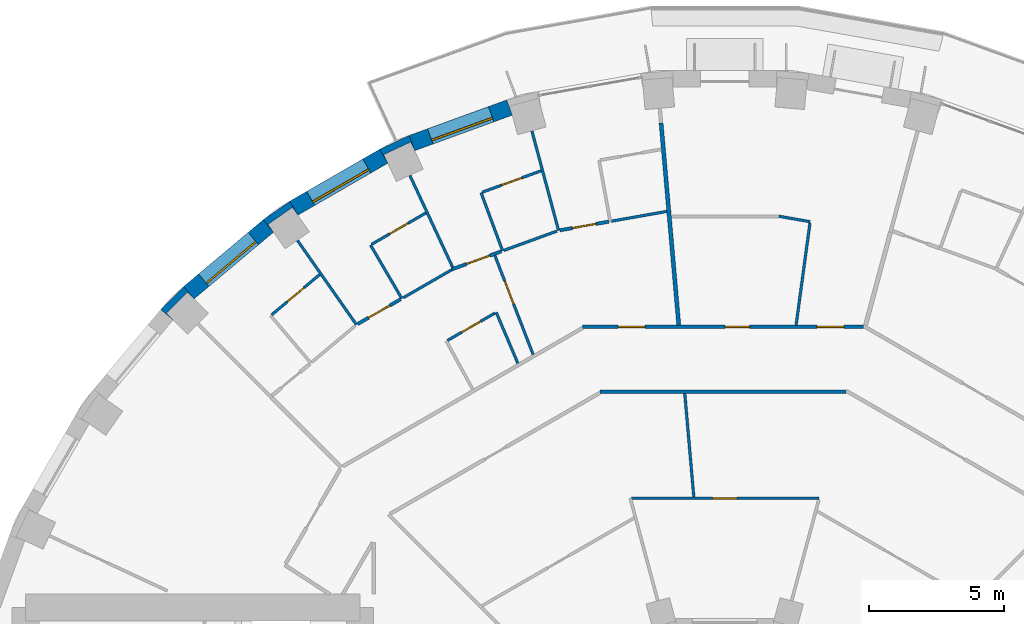
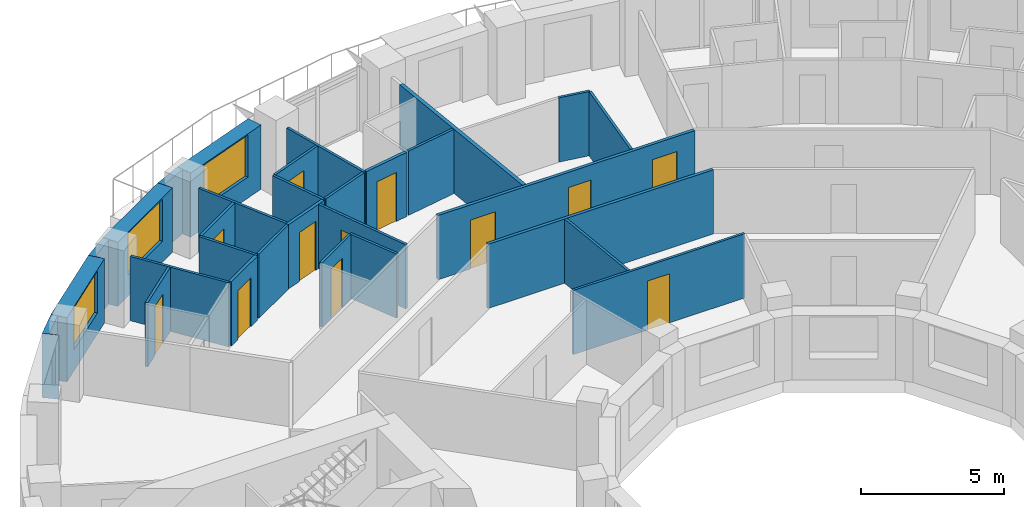
# One storey, part 11 of 15: 30 walls, 12 doors, 3 windows, 15 openings.
"""IFC4 building model written with IfcOpenShell, lengths in metres."""

from ifc_helpers import new_model, si_unit, direction, frame, frame_2d, origin, place, context, subcontext, project, spatial, polyline, rectangle, outline, extrude, material, layer, layer_set, type_object, element, fill, save


model = new_model("IFC4")

# Units and contexts
model_context = context("Model", 3, precision=1e-05, world=origin(), true_north=direction((0.0, 1.0)))
body_context = subcontext(model_context, "Body", "Model", "MODEL_VIEW")
ifc_project = project(units=[si_unit("LENGTHUNIT", "METRE"), si_unit("AREAUNIT", "SQUARE_METRE"), si_unit("VOLUMEUNIT", "CUBIC_METRE"), si_unit("PLANEANGLEUNIT", "RADIAN"), si_unit("MASSUNIT", "GRAM", prefix="KILO")], contexts=[model_context])

# Site, building, storey
site_placement = place(None, origin())
site = spatial("IfcSite", under=ifc_project, at=site_placement, CompositionType="ELEMENT")
building_placement = place(site_placement, origin())
building = spatial("IfcBuilding", under=site, at=building_placement, Name="Saqina Gate Tower", CompositionType="ELEMENT")
storey_placement = place(building_placement, frame((0.0, 0.0, 75.800048828125)))
storey = spatial("IfcBuildingStorey", under=building, at=storey_placement, Name="L21", CompositionType="ELEMENT", Elevation=75.800048828125)

# Walls
ifc_material_1 = material(Name="Brick masonry (red)", Category="masonry")
wall_type_1 = type_object("IfcWallType", Name="BRICK PIER COPING RED", PredefinedType="SOLIDWALL", material=ifc_material_1)
wall_1_placement = place(storey_placement, origin())
element("IfcWall", 1, at=wall_1_placement, inside=storey, type_object=wall_type_1, Name="Pier cap L21 column 12", PredefinedType="SOLIDWALL", context=body_context, shape_type="SweptSolid", body=[
    extrude(outline(polyline([(-12.779541015625, 25.980712890625), (-12.4794921875, 25.4609375), (-12.627685546875, 25.778564453125), (-11.630615234375, 26.243408203125), (-11.482666015625, 25.92578125), (-11.687744140625, 26.48974609375), (-12.779541015625, 25.980712890625)])), origin(), (0.0, 0.0, 1.0), 2.75),
])
wall_2_placement = place(storey_placement, origin())
element("IfcWall", 2, at=wall_2_placement, inside=storey, type_object=wall_type_1, Name="Pier cap L21 column 13", PredefinedType="SOLIDWALL", context=body_context, shape_type="SweptSolid", body=[
    extrude(outline(polyline([(-16.110107421875, 24.0576171875), (-17.096923828125, 23.36669921875), (-16.711181640625, 22.9072265625), (-16.912109375, 23.194091796875), (-16.010986328125, 23.8251953125), (-15.81005859375, 23.5380859375), (-16.110107421875, 24.0576171875)])), origin(), (0.0, 0.0, 1.0), 2.75),
])
wall_3_placement = place(storey_placement, origin())
element("IfcWall", 3, at=wall_3_placement, inside=storey, type_object=wall_type_1, Name="Pier cap L21 column 14", PredefinedType="SOLIDWALL", context=body_context, shape_type="SweptSolid", body=[
    extrude(outline(polyline([(-20.894775390625, 20.04296875), (-20.43505859375, 19.6572265625), (-20.682861328125, 19.905029296875), (-19.905029296875, 20.682861328125), (-19.6572265625, 20.43505859375), (-20.04296875, 20.894775390625), (-20.894775390625, 20.04296875)])), origin(), (0.0, 0.0, 1.0), 2.75),
])

# Wall, opening, window
ifc_material_2 = material(Name="Brick masonry (red)", Category="masonry")
ifc_layer_1 = layer(ifc_material_2, 0.60009765625)
ifc_layer_set_1 = layer_set([ifc_layer_1], Name="FW-BRICK-RED")
wall_type_2 = type_object("IfcWallType", Name="FW-BRICK-RED", PredefinedType="SOLIDWALL", material=ifc_layer_set_1)
wall_4_placement = place(storey_placement, frame((-7.97119140625, 27.523193359375, 0.0), z_axis=(0.0, 0.0, 1.0), x_axis=(-0.939689588564, -0.342028474173, 0.0)))
wall_4 = element("IfcWall", 4, at=wall_4_placement, inside=storey, type_object=wall_type_2, Name="Facade wall L21 facet 11", PredefinedType="SOLIDWALL", context=body_context, shape_type="SweptSolid", body=[
    extrude(rectangle(XDim=3.845947265625, YDim=0.60009765625, at=frame_2d((1.9228515625, 0.0))), origin(), (0.0, 0.0, 1.0), 2.75),
])
opening_1_placement = place(wall_4_placement, frame((0.722900390625, 0.0, 0.89990234375)))
opening_1 = element("IfcOpeningElement", 5, at=opening_1_placement, cuts=wall_4, Name="Opening G06-W05", PredefinedType="OPENING", context=body_context, shape_type="SweptSolid", body=[
    extrude(rectangle(XDim=2.39990234375, YDim=1.800048828125, at=frame_2d((1.199951171875, 0.89990234375))), frame((0.0, 0.31201171875, 0.0), z_axis=(0.0, -1.0, 0.0), x_axis=(1.0, 0.0, 0.0)), (0.0, 0.0, 1.0), 0.6240234375),
])
ifc_material_3 = material(Name="Aluminium glazing", Category="aluminium")
window_type = type_object("IfcWindowType", Name="WN-A", PartitioningType="SINGLE_PANEL", PredefinedType="WINDOW", material=ifc_material_3)
window_1_placement = place(opening_1_placement, origin())
window_1 = element("IfcWindow", 6, at=window_1_placement, inside=storey, type_object=window_type, Name="Window L21 facet 11", OverallHeight=1.800048828125, OverallWidth=2.39990234375, PartitioningType="SINGLE_PANEL", PredefinedType="WINDOW", context=body_context, shape_type="SweptSolid", body=[
    extrude(rectangle(XDim=2.39990234375, YDim=1.800048828125, at=frame_2d((1.199951171875, 0.89990234375))), frame((0.0, 0.179931640625, 0.0), z_axis=(0.0, -1.0, 0.0), x_axis=(1.0, 0.0, 0.0)), (0.0, 0.0, 1.0), 0.06005859375),
])
fill(opening_1, window_1)

wall_5_placement = place(storey_placement, frame((-12.629638671875, 25.720703125, 0.0), z_axis=(0.0, 0.0, 1.0), x_axis=(-0.86603124159, -0.499989888488, 0.0)))
wall_5 = element("IfcWall", 7, at=wall_5_placement, inside=storey, type_object=wall_type_2, Name="Facade wall L21 facet 12", PredefinedType="SOLIDWALL", context=body_context, shape_type="SweptSolid", body=[
    extrude(rectangle(XDim=3.845703125, YDim=0.60009765625, at=frame_2d((1.9228515625, 0.0))), origin(), (0.0, 0.0, 1.0), 2.75),
])
opening_2_placement = place(wall_5_placement, frame((0.722900390625, 0.0, 0.89990234375)))
opening_2 = element("IfcOpeningElement", 8, at=opening_2_placement, cuts=wall_5, Name="Opening G06-W06", PredefinedType="OPENING", context=body_context, shape_type="SweptSolid", body=[
    extrude(rectangle(XDim=2.39990234375, YDim=1.800048828125, at=frame_2d((1.199951171875, 0.89990234375))), frame((0.0, 0.31201171875, 0.0), z_axis=(0.0, -1.0, 0.0), x_axis=(1.0, 0.0, 0.0)), (0.0, 0.0, 1.0), 0.6240234375),
])
window_2_placement = place(opening_2_placement, origin())
window_2 = element("IfcWindow", 9, at=window_2_placement, inside=storey, type_object=window_type, Name="Window L21 facet 12", OverallHeight=1.800048828125, OverallWidth=2.39990234375, PartitioningType="SINGLE_PANEL", PredefinedType="WINDOW", context=body_context, shape_type="SweptSolid", body=[
    extrude(rectangle(XDim=2.39990234375, YDim=1.800048828125, at=frame_2d((1.199951171875, 0.89990234375))), frame((0.0, 0.179931640625, 0.0), z_axis=(0.0, -1.0, 0.0), x_axis=(1.0, 0.0, 0.0)), (0.0, 0.0, 1.0), 0.06005859375),
])
fill(opening_2, window_2)

wall_6_placement = place(storey_placement, frame((-16.904052734375, 23.136962890625, 0.0), z_axis=(0.0, 0.0, 1.0), x_axis=(-0.766026164483, -0.642809392687, 0.0)))
wall_6 = element("IfcWall", 10, at=wall_6_placement, inside=storey, type_object=wall_type_2, Name="Facade wall L21 facet 13", PredefinedType="SOLIDWALL", context=body_context, shape_type="SweptSolid", body=[
    extrude(rectangle(XDim=3.845947265625, YDim=0.60009765625, at=frame_2d((1.9228515625, 0.0))), origin(), (0.0, 0.0, 1.0), 2.75),
])
opening_3_placement = place(wall_6_placement, frame((0.722900390625, 0.0, 0.89990234375)))
opening_3 = element("IfcOpeningElement", 11, at=opening_3_placement, cuts=wall_6, Name="Opening G06-W07", PredefinedType="OPENING", context=body_context, shape_type="SweptSolid", body=[
    extrude(rectangle(XDim=2.39990234375, YDim=1.800048828125, at=frame_2d((1.199951171875, 0.89990234375))), frame((0.0, 0.31201171875, 0.0), z_axis=(0.0, -1.0, 0.0), x_axis=(1.0, 0.0, 0.0)), (0.0, 0.0, 1.0), 0.6240234375),
])
window_3_placement = place(opening_3_placement, origin())
window_3 = element("IfcWindow", 12, at=window_3_placement, inside=storey, type_object=window_type, Name="Window L21 facet 13", OverallHeight=1.800048828125, OverallWidth=2.39990234375, PartitioningType="SINGLE_PANEL", PredefinedType="WINDOW", context=body_context, shape_type="SweptSolid", body=[
    extrude(rectangle(XDim=2.39990234375, YDim=1.800048828125, at=frame_2d((1.199951171875, 0.89990234375))), frame((0.0, 0.179931640625, 0.0), z_axis=(0.0, -1.0, 0.0), x_axis=(1.0, 0.0, 0.0)), (0.0, 0.0, 1.0), 0.06005859375),
])
fill(opening_3, window_3)

# Walls
ifc_material_4 = material(Name="Gypsum board on steel studs, 100 mm", Category="steel")
ifc_layer_2 = layer(ifc_material_4, 0.10009765625)
ifc_layer_set_2 = layer_set([ifc_layer_2], Name="PARTITION 100")
wall_type_3 = type_object("IfcWallType", Name="PARTITION 100", PredefinedType="PARTITIONING", material=ifc_layer_set_2)
wall_7_placement = place(storey_placement, frame((-1.4814453125, 16.937744140625, 0.0), z_axis=(0.0, 0.0, 1.0), x_axis=(0.087009723018, -0.996207462379, 0.0)))
element("IfcWall", 13, at=wall_7_placement, inside=storey, type_object=wall_type_3, Name="PARTITION PW3-03", PredefinedType="PARTITIONING", context=body_context, shape_type="SweptSolid", body=[
    extrude(rectangle(XDim=3.8525390625, YDim=0.10009765625, at=frame_2d((1.92626953125, 0.0))), origin(), (0.0, 0.0, 1.0), 2.75),
])
wall_8_placement = place(storey_placement, frame((-7.14013671875, 26.650146484375, 0.0), z_axis=(0.0, 0.0, 1.0), x_axis=(0.258575921205, -0.965990938349, 0.0)))
element("IfcWall", 14, at=wall_8_placement, inside=storey, type_object=wall_type_3, Name="PARTITION PW3-06", PredefinedType="PARTITIONING", context=body_context, shape_type="SweptSolid", body=[
    extrude(rectangle(XDim=3.809814453125, YDim=0.10009765625, at=frame_2d((1.90478515625, 0.0))), origin(), (0.0, 0.0, 1.0), 2.75),
])
wall_9_placement = place(storey_placement, frame((-9.02587890625, 24.3720703125, 0.0), z_axis=(0.0, 0.0, 1.0), x_axis=(0.347431936108, -0.937705204087, 0.0)))
element("IfcWall", 15, at=wall_9_placement, inside=storey, type_object=wall_type_3, Name="PARTITION PW3-13", PredefinedType="PARTITIONING", context=body_context, shape_type="SweptSolid", body=[
    extrude(rectangle(XDim=2.29931640625, YDim=0.10009765625, at=frame_2d((1.149658203125, 0.0))), origin(), (0.0, 0.0, 1.0), 2.75),
])

# Wall, opening, door
wall_10_placement = place(storey_placement, frame((-8.514404296875, 22.044677734375, 0.0), z_axis=(0.0, 0.0, 1.0), x_axis=(0.360450824224, -0.932778217647, 0.0)))
wall_10 = element("IfcWall", 16, at=wall_10_placement, inside=storey, type_object=wall_type_3, Name="PARTITION PW3-14", PredefinedType="PARTITIONING", context=body_context, shape_type="SweptSolid", body=[
    extrude(rectangle(XDim=3.933837890625, YDim=0.10009765625, at=frame_2d((1.966796875, 0.0))), origin(), (0.0, 0.0, 1.0), 2.75),
])
opening_4_placement = place(wall_10_placement, frame((1.016845703125, 0.0, 0.0)))
opening_4 = element("IfcOpeningElement", 17, at=opening_4_placement, cuts=wall_10, Name="Opening G06-D23", PredefinedType="OPENING", context=body_context, shape_type="SweptSolid", body=[
    extrude(rectangle(XDim=0.89990234375, YDim=2.10009765625, at=frame_2d((0.449951171875, 1.050048828125))), frame((0.0, 0.06201171875, 0.0), z_axis=(0.0, -1.0, 0.0), x_axis=(1.0, 0.0, 0.0)), (0.0, 0.0, 1.0), 0.1240234375),
])
ifc_material_5 = material(Name="Timber door leaf, 900 mm", Category="wood")
door_type_1 = type_object("IfcDoorType", Name="DOOR 900 TIMBER", OperationType="SINGLE_SWING_LEFT", PredefinedType="DOOR", material=ifc_material_5)
door_1_placement = place(opening_4_placement, frame((0.89990234375, 0.0, 0.0), z_axis=(0.0, 0.0, 1.0), x_axis=(-1.0, 0.0, 0.0)))
door_1 = element("IfcDoor", 18, at=door_1_placement, inside=storey, type_object=door_type_1, Name="DOOR G06-D23", OperationType="SINGLE_SWING_LEFT", OverallHeight=2.10009765625, OverallWidth=0.89990234375, PredefinedType="DOOR", context=body_context, shape_type="SweptSolid", body=[
    extrude(rectangle(XDim=0.89990234375, YDim=2.10009765625, at=frame_2d((0.449951171875, 1.050048828125))), frame((0.0, 0.02490234375, 0.0), z_axis=(0.0, -1.0, 0.0), x_axis=(1.0, 0.0, 0.0)), (0.0, 0.0, 1.0), 0.050048828125),
])
fill(opening_4, door_1)

# Walls
wall_11_placement = place(storey_placement, frame((-8.464111328125, 19.93896484375, 0.0), z_axis=(0.0, 0.0, 1.0), x_axis=(0.391032350376, -0.920376934174, 0.0)))
element("IfcWall", 19, at=wall_11_placement, inside=storey, type_object=wall_type_3, Name="PARTITION PW3-15", PredefinedType="PARTITIONING", context=body_context, shape_type="SweptSolid", body=[
    extrude(rectangle(XDim=2.052978515625, YDim=0.10009765625, at=frame_2d((1.0263671875, 0.0))), origin(), (0.0, 0.0, 1.0), 2.75),
])
wall_12_placement = place(storey_placement, frame((-11.65966796875, 25.005126953125, 0.0), z_axis=(0.0, 0.0, 1.0), x_axis=(0.422316636066, -0.906448376303, 0.0)))
element("IfcWall", 20, at=wall_12_placement, inside=storey, type_object=wall_type_3, Name="PARTITION PW3-17", PredefinedType="PARTITIONING", context=body_context, shape_type="SweptSolid", body=[
    extrude(rectangle(XDim=3.760009765625, YDim=0.10009765625, at=frame_2d((1.8798828125, 0.0))), origin(), (0.0, 0.0, 1.0), 2.75),
])
wall_13_placement = place(storey_placement, frame((-13.12109375, 22.43505859375, 0.0), z_axis=(0.0, 0.0, 1.0), x_axis=(0.504708754908, -0.863289680651, 0.0)))
element("IfcWall", 21, at=wall_13_placement, inside=storey, type_object=wall_type_3, Name="PARTITION PW3-25", PredefinedType="PARTITIONING", context=body_context, shape_type="SweptSolid", body=[
    extrude(rectangle(XDim=2.300537109375, YDim=0.10009765625, at=frame_2d((1.150390625, 0.0))), origin(), (0.0, 0.0, 1.0), 2.75),
])
wall_14_placement = place(storey_placement, frame((-15.824951171875, 22.6005859375, 0.0), z_axis=(0.0, 0.0, 1.0), x_axis=(0.573574167811, -0.819153632733, 0.0)))
element("IfcWall", 22, at=wall_14_placement, inside=storey, type_object=wall_type_3, Name="PARTITION PW3-26", PredefinedType="PARTITIONING", context=body_context, shape_type="SweptSolid", body=[
    extrude(rectangle(XDim=3.8095703125, YDim=0.10009765625, at=frame_2d((1.90478515625, 0.0))), origin(), (0.0, 0.0, 1.0), 2.75),
])
wall_15_placement = place(storey_placement, frame((2.0048828125, 23.498779296875, 0.0), z_axis=(0.0, 0.0, 1.0), x_axis=(0.984835805664, -0.17348900796, 0.0)))
element("IfcWall", 23, at=wall_15_placement, inside=storey, type_object=wall_type_3, Name="PARTITION PW3-55", PredefinedType="PARTITIONING", context=body_context, shape_type="SweptSolid", body=[
    extrude(rectangle(XDim=1.175048828125, YDim=0.10009765625, at=frame_2d((0.58740234375, 0.0))), origin(), (0.0, 0.0, 1.0), 2.75),
])

# Wall, opening, door
wall_16_placement = place(storey_placement, frame((-3.447021484375, 13.050048828125, 0.0), z_axis=(0.0, 0.0, 1.0), x_axis=(1.0, 0.0, 0.0)))
wall_16 = element("IfcWall", 24, at=wall_16_placement, inside=storey, type_object=wall_type_3, Name="PARTITION PW3-61", PredefinedType="PARTITIONING", context=body_context, shape_type="SweptSolid", body=[
    extrude(rectangle(XDim=6.944091796875, YDim=0.10009765625, at=frame_2d((3.47216796875, 0.0))), origin(), (0.0, 0.0, 1.0), 2.75),
])
opening_5_placement = place(wall_16_placement, frame((2.9970703125, 0.0, 0.0)))
opening_5 = element("IfcOpeningElement", 25, at=opening_5_placement, cuts=wall_16, Name="Opening G06-D18", PredefinedType="OPENING", context=body_context, shape_type="SweptSolid", body=[
    extrude(rectangle(XDim=0.89990234375, YDim=2.10009765625, at=frame_2d((0.449951171875, 1.050048828125))), frame((0.0, 0.06201171875, 0.0), z_axis=(0.0, -1.0, 0.0), x_axis=(1.0, 0.0, 0.0)), (0.0, 0.0, 1.0), 0.1240234375),
])
door_2_placement = place(opening_5_placement, origin())
door_2 = element("IfcDoor", 26, at=door_2_placement, inside=storey, type_object=door_type_1, Name="DOOR G06-D18", OperationType="SINGLE_SWING_LEFT", OverallHeight=2.10009765625, OverallWidth=0.89990234375, PredefinedType="DOOR", context=body_context, shape_type="SweptSolid", body=[
    extrude(rectangle(XDim=0.89990234375, YDim=2.10009765625, at=frame_2d((0.449951171875, 1.050048828125))), frame((0.0, 0.02490234375, 0.0), z_axis=(0.0, -1.0, 0.0), x_axis=(1.0, 0.0, 0.0)), (0.0, 0.0, 1.0), 0.050048828125),
])
fill(opening_5, door_2)

# Walls
wall_17_placement = place(storey_placement, frame((-4.19482421875, 23.315673828125, 0.0), z_axis=(0.0, 0.0, 1.0), x_axis=(0.984788286148, 0.173758543574, 0.0)))
element("IfcWall", 27, at=wall_17_placement, inside=storey, type_object=wall_type_3, Name="PARTITION PW3-65", PredefinedType="PARTITIONING", context=body_context, shape_type="SweptSolid", body=[
    extrude(rectangle(XDim=2.07958984375, YDim=0.10009765625, at=frame_2d((1.039794921875, 0.0))), origin(), (0.0, 0.0, 1.0), 2.75),
])
wall_18_placement = place(storey_placement, frame((-8.179931640625, 22.233154296875, 0.0), z_axis=(0.0, 0.0, 1.0), x_axis=(0.939708229367, 0.341977256056, 0.0)))
element("IfcWall", 28, at=wall_18_placement, inside=storey, type_object=wall_type_3, Name="PARTITION PW3-69", PredefinedType="PARTITIONING", context=body_context, shape_type="SweptSolid", body=[
    extrude(rectangle(XDim=2.092529296875, YDim=0.10009765625, at=frame_2d((1.04638671875, 0.0))), origin(), (0.0, 0.0, 1.0), 2.75),
])

# Wall, opening, door
wall_19_placement = place(storey_placement, frame((-8.97900390625, 24.38916015625, 0.0), z_axis=(0.0, 0.0, 1.0), x_axis=(0.93967659433, 0.342064172443, 0.0)))
wall_19 = element("IfcWall", 29, at=wall_19_placement, inside=storey, type_object=wall_type_3, Name="PARTITION PW3-70", PredefinedType="PARTITIONING", context=body_context, shape_type="SweptSolid", body=[
    extrude(rectangle(XDim=2.319580078125, YDim=0.10009765625, at=frame_2d((1.15966796875, 0.0))), origin(), (0.0, 0.0, 1.0), 2.75),
])
opening_6_placement = place(wall_19_placement, frame((0.760009765625, 0.0, 0.0)))
opening_6 = element("IfcOpeningElement", 30, at=opening_6_placement, cuts=wall_19, Name="Opening G06-D22", PredefinedType="OPENING", context=body_context, shape_type="SweptSolid", body=[
    extrude(rectangle(XDim=0.800048828125, YDim=2.10009765625, at=frame_2d((0.39990234375, 1.050048828125))), frame((0.0, 0.06201171875, 0.0), z_axis=(0.0, -1.0, 0.0), x_axis=(1.0, 0.0, 0.0)), (0.0, 0.0, 1.0), 0.1240234375),
])
ifc_material_6 = material(Name="Timber door leaf, 800 mm", Category="wood")
door_type_2 = type_object("IfcDoorType", Name="DOOR 800 TIMBER", OperationType="SINGLE_SWING_LEFT", PredefinedType="DOOR", material=ifc_material_6)
door_3_placement = place(opening_6_placement, origin())
door_3 = element("IfcDoor", 31, at=door_3_placement, inside=storey, type_object=door_type_2, Name="DOOR G06-D22", OperationType="SINGLE_SWING_RIGHT", OverallHeight=2.10009765625, OverallWidth=0.800048828125, PredefinedType="DOOR", context=body_context, shape_type="SweptSolid", body=[
    extrude(rectangle(XDim=0.800048828125, YDim=2.10009765625, at=frame_2d((0.39990234375, 1.050048828125))), frame((0.0, 0.02490234375, 0.0), z_axis=(0.0, -1.0, 0.0), x_axis=(1.0, 0.0, 0.0)), (0.0, 0.0, 1.0), 0.050048828125),
])
fill(opening_6, door_3)

wall_20_placement = place(storey_placement, frame((-10.2666015625, 18.89892578125, 0.0), z_axis=(0.0, 0.0, 1.0), x_axis=(0.866149564305, 0.499784885981, 0.0)))
wall_20 = element("IfcWall", 32, at=wall_20_placement, inside=storey, type_object=wall_type_3, Name="PARTITION PW3-79", PredefinedType="PARTITIONING", context=body_context, shape_type="SweptSolid", body=[
    extrude(rectangle(XDim=2.03125, YDim=0.10009765625, at=frame_2d((1.015625, 0.0))), origin(), (0.0, 0.0, 1.0), 2.75),
])
opening_7_placement = place(wall_20_placement, frame((0.615478515625, 0.0, 0.0)))
opening_7 = element("IfcOpeningElement", 33, at=opening_7_placement, cuts=wall_20, Name="Opening G06-D25", PredefinedType="OPENING", context=body_context, shape_type="SweptSolid", body=[
    extrude(rectangle(XDim=0.800048828125, YDim=2.10009765625, at=frame_2d((0.39990234375, 1.050048828125))), frame((0.0, 0.06201171875, 0.0), z_axis=(0.0, -1.0, 0.0), x_axis=(1.0, 0.0, 0.0)), (0.0, 0.0, 1.0), 0.1240234375),
])
door_4_placement = place(opening_7_placement, origin())
door_4 = element("IfcDoor", 34, at=door_4_placement, inside=storey, type_object=door_type_2, Name="DOOR G06-D25", OperationType="SINGLE_SWING_RIGHT", OverallHeight=2.10009765625, OverallWidth=0.800048828125, PredefinedType="DOOR", context=body_context, shape_type="SweptSolid", body=[
    extrude(rectangle(XDim=0.800048828125, YDim=2.10009765625, at=frame_2d((0.39990234375, 1.050048828125))), frame((0.0, 0.02490234375, 0.0), z_axis=(0.0, -1.0, 0.0), x_axis=(1.0, 0.0, 0.0)), (0.0, 0.0, 1.0), 0.050048828125),
])
fill(opening_7, door_4)

# Wall
wall_21_placement = place(storey_placement, frame((-11.90576171875, 20.480224609375, 0.0), z_axis=(0.0, 0.0, 1.0), x_axis=(0.865966712092, 0.500101643217, 0.0)))
element("IfcWall", 35, at=wall_21_placement, inside=storey, type_object=wall_type_3, Name="PARTITION PW3-80", PredefinedType="PARTITIONING", context=body_context, shape_type="SweptSolid", body=[
    extrude(rectangle(XDim=2.08056640625, YDim=0.10009765625, at=frame_2d((1.040283203125, 0.0))), origin(), (0.0, 0.0, 1.0), 2.75),
])

# Wall, opening, door
wall_22_placement = place(storey_placement, frame((-13.07763671875, 22.4599609375, 0.0), z_axis=(0.0, 0.0, 1.0), x_axis=(0.865947141423, 0.500135529893, 0.0)))
wall_22 = element("IfcWall", 36, at=wall_22_placement, inside=storey, type_object=wall_type_3, Name="PARTITION PW3-81", PredefinedType="PARTITIONING", context=body_context, shape_type="SweptSolid", body=[
    extrude(rectangle(XDim=2.319091796875, YDim=0.10009765625, at=frame_2d((1.15966796875, 0.0))), origin(), (0.0, 0.0, 1.0), 2.75),
])
opening_8_placement = place(wall_22_placement, frame((0.759765625, 0.0, 0.0)))
opening_8 = element("IfcOpeningElement", 37, at=opening_8_placement, cuts=wall_22, Name="Opening G06-D26", PredefinedType="OPENING", context=body_context, shape_type="SweptSolid", body=[
    extrude(rectangle(XDim=0.800048828125, YDim=2.10009765625, at=frame_2d((0.39990234375, 1.050048828125))), frame((0.0, 0.06201171875, 0.0), z_axis=(0.0, -1.0, 0.0), x_axis=(1.0, 0.0, 0.0)), (0.0, 0.0, 1.0), 0.1240234375),
])
door_5_placement = place(opening_8_placement, origin())
door_5 = element("IfcDoor", 38, at=door_5_placement, inside=storey, type_object=door_type_2, Name="DOOR G06-D26", OperationType="SINGLE_SWING_RIGHT", OverallHeight=2.10009765625, OverallWidth=0.800048828125, PredefinedType="DOOR", context=body_context, shape_type="SweptSolid", body=[
    extrude(rectangle(XDim=0.800048828125, YDim=2.10009765625, at=frame_2d((0.39990234375, 1.050048828125))), frame((0.0, 0.02490234375, 0.0), z_axis=(0.0, -1.0, 0.0), x_axis=(1.0, 0.0, 0.0)), (0.0, 0.0, 1.0), 0.050048828125),
])
fill(opening_8, door_5)

wall_23_placement = place(storey_placement, frame((-16.77880859375, 19.84814453125, 0.0), z_axis=(0.0, 0.0, 1.0), x_axis=(0.766051078848, 0.642779701449, 0.0)))
wall_23 = element("IfcWall", 39, at=wall_23_placement, inside=storey, type_object=wall_type_3, Name="PARTITION PW3-91", PredefinedType="PARTITIONING", context=body_context, shape_type="SweptSolid", body=[
    extrude(rectangle(XDim=2.319091796875, YDim=0.10009765625, at=frame_2d((1.15966796875, 0.0))), origin(), (0.0, 0.0, 1.0), 2.75),
])
opening_9_placement = place(wall_23_placement, frame((0.759521484375, 0.0, 0.0)))
opening_9 = element("IfcOpeningElement", 40, at=opening_9_placement, cuts=wall_23, Name="Opening G06-D30", PredefinedType="OPENING", context=body_context, shape_type="SweptSolid", body=[
    extrude(rectangle(XDim=0.800048828125, YDim=2.10009765625, at=frame_2d((0.39990234375, 1.050048828125))), frame((0.0, 0.06201171875, 0.0), z_axis=(0.0, -1.0, 0.0), x_axis=(1.0, 0.0, 0.0)), (0.0, 0.0, 1.0), 0.1240234375),
])
door_6_placement = place(opening_9_placement, origin())
door_6 = element("IfcDoor", 41, at=door_6_placement, inside=storey, type_object=door_type_2, Name="DOOR G06-D30", OperationType="SINGLE_SWING_LEFT", OverallHeight=2.10009765625, OverallWidth=0.800048828125, PredefinedType="DOOR", context=body_context, shape_type="SweptSolid", body=[
    extrude(rectangle(XDim=0.800048828125, YDim=2.10009765625, at=frame_2d((0.39990234375, 1.050048828125))), frame((0.0, 0.02490234375, 0.0), z_axis=(0.0, -1.0, 0.0), x_axis=(1.0, 0.0, 0.0)), (0.0, 0.0, 1.0), 0.050048828125),
])
fill(opening_9, door_6)

# Walls
wall_24_placement = place(storey_placement, frame((2.641357421875, 19.4619140625, 0.0), z_axis=(0.0, 0.0, 1.0), x_axis=(0.134568047679, 0.990904354892, 0.0)))
element("IfcWall", 42, at=wall_24_placement, inside=storey, type_object=wall_type_3, Name="PARTITION PW3-116", PredefinedType="PARTITIONING", context=body_context, shape_type="SweptSolid", body=[
    extrude(rectangle(XDim=3.817138671875, YDim=0.10009765625, at=frame_2d((1.90869140625, 0.0))), origin(), (0.0, 0.0, 1.0), 2.75),
])
ifc_material_7 = material(Name="Gypsum board on steel studs, 125 mm, fire rated", Category="steel")
ifc_layer_3 = layer(ifc_material_7, 0.125)
ifc_layer_set_3 = layer_set([ifc_layer_3], Name="PARTITION EI 30 125")
wall_type_4 = type_object("IfcWallType", Name="PARTITION EI 30 125", PredefinedType="PARTITIONING", material=ifc_layer_set_3)
wall_25_placement = place(storey_placement, frame((-4.627197265625, 17.0, 0.0), z_axis=(0.0, 0.0, 1.0), x_axis=(1.0, 0.0, 0.0)))
element("IfcWall", 43, at=wall_25_placement, inside=storey, type_object=wall_type_4, Name="PARTITION PW1-34", PredefinedType="PARTITIONING", context=body_context, shape_type="SweptSolid", body=[
    extrude(rectangle(XDim=9.11962890625, YDim=0.125, at=frame_2d((4.559814453125, 0.0))), origin(), (0.0, 0.0, 1.0), 2.75),
])

# Wall, openings, doors
wall_26_placement = place(storey_placement, frame((-5.270263671875, 19.39990234375, 0.0), z_axis=(0.0, 0.0, 1.0), x_axis=(1.0, 0.0, 0.0)))
wall_26 = element("IfcWall", 44, at=wall_26_placement, inside=storey, type_object=wall_type_4, Name="PARTITION PW1-35", PredefinedType="PARTITIONING", context=body_context, shape_type="SweptSolid", body=[
    extrude(rectangle(XDim=10.40576171875, YDim=0.125, at=frame_2d((5.202880859375, 0.0))), origin(), (0.0, 0.0, 1.0), 2.75),
])
opening_10_placement = place(wall_26_placement, frame((8.685791015625, 0.0, 0.0)))
opening_10 = element("IfcOpeningElement", 45, at=opening_10_placement, cuts=wall_26, Name="Opening G06-D16", PredefinedType="OPENING", context=body_context, shape_type="SweptSolid", body=[
    extrude(rectangle(XDim=1.0, YDim=2.10009765625, at=frame_2d((0.5, 1.050048828125))), frame((0.0, 0.074462890625, 0.0), z_axis=(0.0, -1.0, 0.0), x_axis=(1.0, 0.0, 0.0)), (0.0, 0.0, 1.0), 0.14892578125),
])
opening_11_placement = place(wall_26_placement, frame((5.2880859375, 0.0, 0.0)))
opening_11 = element("IfcOpeningElement", 46, at=opening_11_placement, cuts=wall_26, Name="Opening G06-D17", PredefinedType="OPENING", context=body_context, shape_type="SweptSolid", body=[
    extrude(rectangle(XDim=0.89990234375, YDim=2.10009765625, at=frame_2d((0.449951171875, 1.050048828125))), frame((0.0, 0.074462890625, 0.0), z_axis=(0.0, -1.0, 0.0), x_axis=(1.0, 0.0, 0.0)), (0.0, 0.0, 1.0), 0.14892578125),
])
opening_12_placement = place(wall_26_placement, frame((1.32275390625, 0.0, 0.0)))
opening_12 = element("IfcOpeningElement", 47, at=opening_12_placement, cuts=wall_26, Name="Opening G06-D20", PredefinedType="OPENING", context=body_context, shape_type="SweptSolid", body=[
    extrude(rectangle(XDim=1.0, YDim=2.10009765625, at=frame_2d((0.5, 1.050048828125))), frame((0.0, 0.074462890625, 0.0), z_axis=(0.0, -1.0, 0.0), x_axis=(1.0, 0.0, 0.0)), (0.0, 0.0, 1.0), 0.14892578125),
])
ifc_material_8 = material(Name="Fire door leaf EI 30, 1000 mm")
door_type_3 = type_object("IfcDoorType", Name="DOOR 1000 EI 30", OperationType="SINGLE_SWING_LEFT", PredefinedType="DOOR", material=ifc_material_8)
door_7_placement = place(opening_10_placement, origin())
door_7 = element("IfcDoor", 48, at=door_7_placement, inside=storey, type_object=door_type_3, Name="DOOR G06-D16", OperationType="SINGLE_SWING_RIGHT", OverallHeight=2.10009765625, OverallWidth=1.0, PredefinedType="DOOR", context=body_context, shape_type="SweptSolid", body=[
    extrude(rectangle(XDim=1.0, YDim=2.10009765625, at=frame_2d((0.5, 1.050048828125))), frame((0.0, 0.02490234375, 0.0), z_axis=(0.0, -1.0, 0.0), x_axis=(1.0, 0.0, 0.0)), (0.0, 0.0, 1.0), 0.050048828125),
])
fill(opening_10, door_7)
door_8_placement = place(opening_12_placement, origin())
door_8 = element("IfcDoor", 49, at=door_8_placement, inside=storey, type_object=door_type_3, Name="DOOR G06-D20", OperationType="SINGLE_SWING_LEFT", OverallHeight=2.10009765625, OverallWidth=1.0, PredefinedType="DOOR", context=body_context, shape_type="SweptSolid", body=[
    extrude(rectangle(XDim=1.0, YDim=2.10009765625, at=frame_2d((0.5, 1.050048828125))), frame((0.0, 0.02490234375, 0.0), z_axis=(0.0, -1.0, 0.0), x_axis=(1.0, 0.0, 0.0)), (0.0, 0.0, 1.0), 0.050048828125),
])
fill(opening_12, door_8)
ifc_material_9 = material(Name="Fire door leaf EI 30, 900 mm")
door_type_4 = type_object("IfcDoorType", Name="DOOR 900 EI 30", OperationType="SINGLE_SWING_LEFT", PredefinedType="DOOR", material=ifc_material_9)
door_9_placement = place(opening_11_placement, origin())
door_9 = element("IfcDoor", 50, at=door_9_placement, inside=storey, type_object=door_type_4, Name="DOOR G06-D17", OperationType="SINGLE_SWING_RIGHT", OverallHeight=2.10009765625, OverallWidth=0.89990234375, PredefinedType="DOOR", context=body_context, shape_type="SweptSolid", body=[
    extrude(rectangle(XDim=0.89990234375, YDim=2.10009765625, at=frame_2d((0.449951171875, 1.050048828125))), frame((0.0, 0.02490234375, 0.0), z_axis=(0.0, -1.0, 0.0), x_axis=(1.0, 0.0, 0.0)), (0.0, 0.0, 1.0), 0.050048828125),
])
fill(opening_11, door_9)

# Wall, opening, door
wall_27_placement = place(storey_placement, frame((-6.105712890625, 22.978759765625, 0.0), z_axis=(0.0, 0.0, 1.0), x_axis=(0.984808921368, 0.173641551464, 0.0)))
wall_27 = element("IfcWall", 51, at=wall_27_placement, inside=storey, type_object=wall_type_4, Name="PARTITION PW1-37", PredefinedType="PARTITIONING", context=body_context, shape_type="SweptSolid", body=[
    extrude(rectangle(XDim=1.840576171875, YDim=0.125, at=frame_2d((0.92041015625, 0.0))), origin(), (0.0, 0.0, 1.0), 2.75),
])
opening_13_placement = place(wall_27_placement, frame((0.47021484375, 0.0, 0.0)))
opening_13 = element("IfcOpeningElement", 52, at=opening_13_placement, cuts=wall_27, Name="Opening G06-D21", PredefinedType="OPENING", context=body_context, shape_type="SweptSolid", body=[
    extrude(rectangle(XDim=0.89990234375, YDim=2.10009765625, at=frame_2d((0.449951171875, 1.050048828125))), frame((0.0, 0.074462890625, 0.0), z_axis=(0.0, -1.0, 0.0), x_axis=(1.0, 0.0, 0.0)), (0.0, 0.0, 1.0), 0.14892578125),
])
door_10_placement = place(opening_13_placement, frame((0.89990234375, 0.0, 0.0), z_axis=(0.0, 0.0, 1.0), x_axis=(-1.0, 0.0, 0.0)))
door_10 = element("IfcDoor", 53, at=door_10_placement, inside=storey, type_object=door_type_4, Name="DOOR G06-D21", OperationType="SINGLE_SWING_RIGHT", OverallHeight=2.10009765625, OverallWidth=0.89990234375, PredefinedType="DOOR", context=body_context, shape_type="SweptSolid", body=[
    extrude(rectangle(XDim=0.89990234375, YDim=2.10009765625, at=frame_2d((0.449951171875, 1.050048828125))), frame((0.0, 0.02490234375, 0.0), z_axis=(0.0, -1.0, 0.0), x_axis=(1.0, 0.0, 0.0)), (0.0, 0.0, 1.0), 0.050048828125),
])
fill(opening_13, door_10)

wall_28_placement = place(storey_placement, frame((-10.109619140625, 21.5302734375, 0.0), z_axis=(0.0, 0.0, 1.0), x_axis=(0.939599898996, 0.342274786986, 0.0)))
wall_28 = element("IfcWall", 54, at=wall_28_placement, inside=storey, type_object=wall_type_4, Name="PARTITION PW1-39", PredefinedType="PARTITIONING", context=body_context, shape_type="SweptSolid", body=[
    extrude(rectangle(XDim=1.95361328125, YDim=0.125, at=frame_2d((0.976806640625, 0.0))), origin(), (0.0, 0.0, 1.0), 2.75),
])
opening_14_placement = place(wall_28_placement, frame((0.58349609375, 0.0, 0.0)))
opening_14 = element("IfcOpeningElement", 55, at=opening_14_placement, cuts=wall_28, Name="Opening G06-D24", PredefinedType="OPENING", context=body_context, shape_type="SweptSolid", body=[
    extrude(rectangle(XDim=0.89990234375, YDim=2.10009765625, at=frame_2d((0.449951171875, 1.050048828125))), frame((0.0, 0.074462890625, 0.0), z_axis=(0.0, -1.0, 0.0), x_axis=(1.0, 0.0, 0.0)), (0.0, 0.0, 1.0), 0.14892578125),
])
door_11_placement = place(opening_14_placement, frame((0.89990234375, 0.0, 0.0), z_axis=(0.0, 0.0, 1.0), x_axis=(-1.0, 0.0, 0.0)))
door_11 = element("IfcDoor", 56, at=door_11_placement, inside=storey, type_object=door_type_4, Name="DOOR G06-D24", OperationType="SINGLE_SWING_LEFT", OverallHeight=2.10009765625, OverallWidth=0.89990234375, PredefinedType="DOOR", context=body_context, shape_type="SweptSolid", body=[
    extrude(rectangle(XDim=0.89990234375, YDim=2.10009765625, at=frame_2d((0.449951171875, 1.050048828125))), frame((0.0, 0.02490234375, 0.0), z_axis=(0.0, -1.0, 0.0), x_axis=(1.0, 0.0, 0.0)), (0.0, 0.0, 1.0), 0.050048828125),
])
fill(opening_14, door_11)

wall_29_placement = place(storey_placement, frame((-13.59716796875, 19.506103515625, 0.0), z_axis=(0.0, 0.0, 1.0), x_axis=(0.866538954681, 0.499109446936, 0.0)))
wall_29 = element("IfcWall", 57, at=wall_29_placement, inside=storey, type_object=wall_type_4, Name="PARTITION PW1-43", PredefinedType="PARTITIONING", context=body_context, shape_type="SweptSolid", body=[
    extrude(rectangle(XDim=1.839111328125, YDim=0.125, at=frame_2d((0.91943359375, 0.0))), origin(), (0.0, 0.0, 1.0), 2.75),
])
opening_15_placement = place(wall_29_placement, frame((0.4697265625, 0.0, 0.0)))
opening_15 = element("IfcOpeningElement", 58, at=opening_15_placement, cuts=wall_29, Name="Opening G06-D29", PredefinedType="OPENING", context=body_context, shape_type="SweptSolid", body=[
    extrude(rectangle(XDim=0.89990234375, YDim=2.10009765625, at=frame_2d((0.449951171875, 1.050048828125))), frame((0.0, 0.074462890625, 0.0), z_axis=(0.0, -1.0, 0.0), x_axis=(1.0, 0.0, 0.0)), (0.0, 0.0, 1.0), 0.14892578125),
])
door_12_placement = place(opening_15_placement, frame((0.89990234375, 0.0, 0.0), z_axis=(0.0, 0.0, 1.0), x_axis=(-1.0, 0.0, 0.0)))
door_12 = element("IfcDoor", 59, at=door_12_placement, inside=storey, type_object=door_type_4, Name="DOOR G06-D29", OperationType="SINGLE_SWING_RIGHT", OverallHeight=2.10009765625, OverallWidth=0.89990234375, PredefinedType="DOOR", context=body_context, shape_type="SweptSolid", body=[
    extrude(rectangle(XDim=0.89990234375, YDim=2.10009765625, at=frame_2d((0.449951171875, 1.050048828125))), frame((0.0, 0.02490234375, 0.0), z_axis=(0.0, -1.0, 0.0), x_axis=(1.0, 0.0, 0.0)), (0.0, 0.0, 1.0), 0.050048828125),
])
fill(opening_15, door_12)

# Wall
ifc_material_10 = material(Name="Gypsum board on steel studs, 150 mm, fire rated", Category="steel")
ifc_layer_4 = layer(ifc_material_10, 0.14990234375)
ifc_layer_set_4 = layer_set([ifc_layer_4], Name="PARTITION EI 60 150")
wall_type_5 = type_object("IfcWallType", Name="PARTITION EI 60 150", PredefinedType="PARTITIONING", material=ifc_layer_set_4)
wall_30_placement = place(storey_placement, frame((-2.35791015625, 26.952392578125, 0.0), z_axis=(0.0, 0.0, 1.0), x_axis=(0.087150838373, -0.996195127157, 0.0)))
element("IfcWall", 60, at=wall_30_placement, inside=storey, type_object=wall_type_5, Name="PARTITION PW2-01", PredefinedType="PARTITIONING", context=body_context, shape_type="SweptSolid", body=[
    extrude(rectangle(XDim=7.518798828125, YDim=0.14990234375, at=frame_2d((3.75927734375, 0.0))), origin(), (0.0, 0.0, 1.0), 2.75),
])

save(model, "model.ifc")
